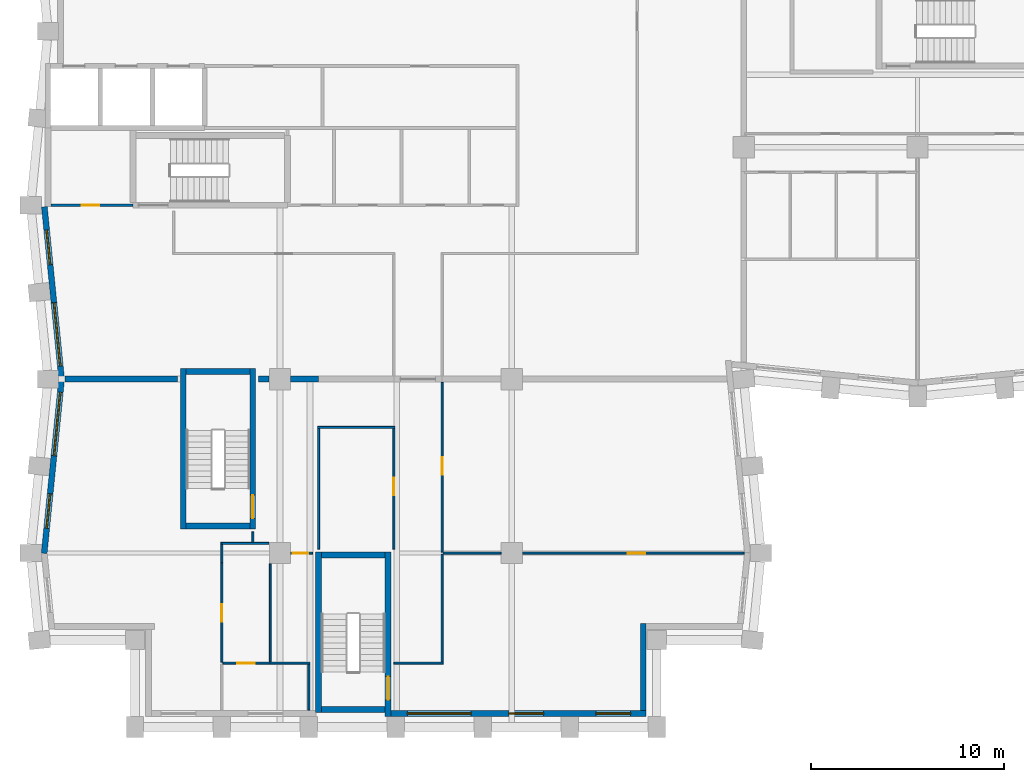
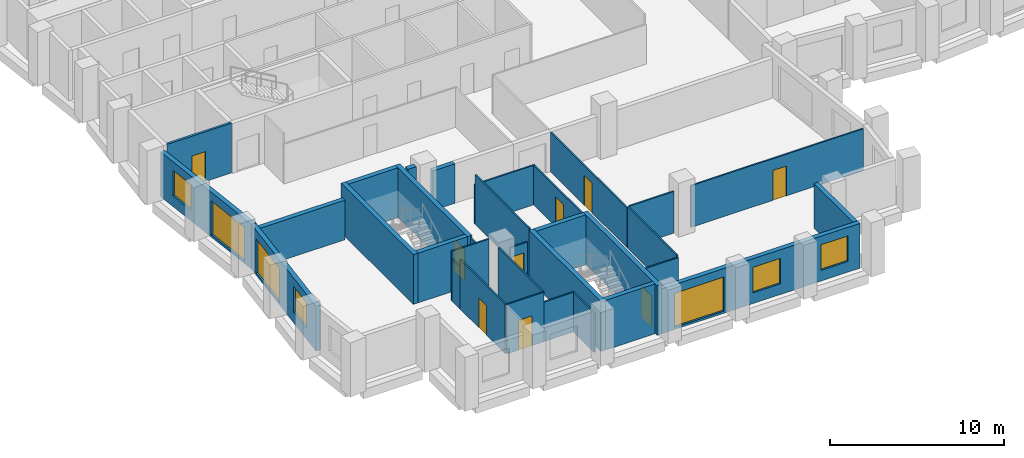
# One storey, part 3 of 10: 33 walls, 9 doors, 7 windows, 16 openings.
"""IFC4 building model written with IfcOpenShell, lengths in metres."""

from ifc_helpers import new_model, si_unit, direction, frame, frame_2d, origin, place, context, subcontext, project, spatial, rectangle, extrude, material, layer, layer_set, type_object, element, fill, save


model = new_model("IFC4")

# Units and contexts
model_context = context("Model", 3, precision=1e-05, world=origin(), true_north=direction((0.0, 1.0)))
body_context = subcontext(model_context, "Body", "Model", "MODEL_VIEW")
ifc_project = project(units=[si_unit("LENGTHUNIT", "METRE"), si_unit("AREAUNIT", "SQUARE_METRE"), si_unit("VOLUMEUNIT", "CUBIC_METRE"), si_unit("PLANEANGLEUNIT", "RADIAN"), si_unit("MASSUNIT", "GRAM", prefix="KILO")], contexts=[model_context])

# Site, building, storey
site_placement = place(None, origin())
site = spatial("IfcSite", under=ifc_project, at=site_placement, CompositionType="ELEMENT")
building_placement = place(site_placement, origin())
building = spatial("IfcBuilding", under=site, at=building_placement, Name="Brondeck Convention Tower", CompositionType="ELEMENT")
storey_placement = place(building_placement, frame((0.0, 0.0, 147.199951171875)))
storey = spatial("IfcBuildingStorey", under=building, at=storey_placement, Name="L35", CompositionType="ELEMENT", Elevation=147.199951171875)

# Walls
ifc_material_1 = material(Name="Concrete compartment wall C30/37", Category="concrete")
ifc_layer_1 = layer(ifc_material_1, 0.300048828125)
ifc_layer_set_1 = layer_set([ifc_layer_1], Name="Compartment wall 300")
wall_type_1 = type_object("IfcWallType", Name="Compartment wall 300", PredefinedType="PARTITIONING", material=ifc_layer_set_1)
wall_1_placement = place(storey_placement, frame((0.8740234375, 27.0, 0.0), z_axis=(0.0, 0.0, 1.0), x_axis=(1.0, 0.0, 0.0)))
element("IfcWall", 1, at=wall_1_placement, inside=storey, type_object=wall_type_1, Name="FLR-L35-W020", PredefinedType="PARTITIONING", context=body_context, shape_type="SweptSolid", body=[
    extrude(rectangle(XDim=5.825927734375, YDim=0.300048828125, at=frame_2d((2.9130859375, 0.0))), origin(), (0.0, 0.0, 1.0), 2.780029296875),
])
wall_2_placement = place(storey_placement, frame((10.89990234375, 27.0, 0.0), z_axis=(0.0, 0.0, 1.0), x_axis=(1.0, 0.0, 0.0)))
element("IfcWall", 2, at=wall_2_placement, inside=storey, type_object=wall_type_1, Name="FLR-L35-W021", PredefinedType="PARTITIONING", context=body_context, shape_type="SweptSolid", body=[
    extrude(rectangle(XDim=0.545166015625, YDim=0.300048828125, at=frame_2d((0.2724609375, 0.0))), origin(), (0.0, 0.0, 1.0), 3.47998046875),
])
wall_3_placement = place(storey_placement, frame((12.554931640625, 27.0, 0.0), z_axis=(0.0, 0.0, 1.0), x_axis=(1.0, 0.0, 0.0)))
element("IfcWall", 3, at=wall_3_placement, inside=storey, type_object=wall_type_1, Name="FLR-L35-W022", PredefinedType="PARTITIONING", context=body_context, shape_type="SweptSolid", body=[
    extrude(rectangle(XDim=1.445068359375, YDim=0.300048828125, at=frame_2d((0.72265625, 0.0))), origin(), (0.0, 0.0, 1.0), 2.780029296875),
])

# Wall, opening, door
ifc_material_2 = material(Name="Fire-rated gypsum board partition")
ifc_layer_2 = layer(ifc_material_2, 0.14990234375)
ifc_layer_set_2 = layer_set([ifc_layer_2], Name="Core partition 150 EI 60")
wall_type_2 = type_object("IfcWallType", Name="Core partition 150 EI 60", PredefinedType="PARTITIONING", material=ifc_layer_set_2)
wall_4_placement = place(storey_placement, frame((0.14990234375, 36.0, 0.0), z_axis=(0.0, 0.0, 1.0), x_axis=(1.0, 0.0, 0.0)))
wall_4 = element("IfcWall", 4, at=wall_4_placement, inside=storey, type_object=wall_type_2, Name="L35 core wall", PredefinedType="PARTITIONING", context=body_context, shape_type="SweptSolid", body=[
    extrude(rectangle(XDim=4.25, YDim=0.14990234375, at=frame_2d((2.125, 0.0))), origin(), (0.0, 0.0, 1.0), 3.5),
])
opening_1_placement = place(wall_4_placement, frame((1.60009765625, 0.0, 0.0)))
opening_1 = element("IfcOpeningElement", 5, at=opening_1_placement, cuts=wall_4, Name="Opening C21-07", PredefinedType="OPENING", context=body_context, shape_type="SweptSolid", body=[
    extrude(rectangle(XDim=0.89990234375, YDim=2.10009765625, at=frame_2d((0.449951171875, 1.050048828125))), frame((0.0, 0.0849609375, 0.0), z_axis=(0.0, -1.0, 0.0), x_axis=(1.0, 0.0, 0.0)), (0.0, 0.0, 1.0), 0.169921875),
])
ifc_material_3 = material(Name="Steel fire door", Category="steel")
door_type_1 = type_object("IfcDoorType", Name="Room door 900x2100 EI 60", OperationType="NOTDEFINED", PredefinedType="DOOR", material=ifc_material_3)
door_1_placement = place(opening_1_placement, origin())
door_1 = element("IfcDoor", 6, at=door_1_placement, inside=storey, type_object=door_type_1, Name="L35 Room door FRW-1", OperationType="SINGLE_SWING_LEFT", OverallHeight=2.10009765625, OverallWidth=0.89990234375, PredefinedType="DOOR", context=body_context, shape_type="SweptSolid", body=[
    extrude(rectangle(XDim=0.89990234375, YDim=2.10009765625, at=frame_2d((0.449951171875, 1.050048828125))), frame((0.0, 0.02490234375, 0.0), z_axis=(0.0, -1.0, 0.0), x_axis=(1.0, 0.0, 0.0)), (0.0, 0.0, 1.0), 0.050048828125),
])
fill(opening_1, door_1)

# Wall, openings, windows
ifc_material_4 = material(Name="Precast concrete C50/60 bronze finish", Category="concrete")
ifc_layer_3 = layer(ifc_material_4, 0.070068359375, Name="Bronze precast facing")
ifc_material_5 = material(Name="Mineral wool")
ifc_layer_4 = layer(ifc_material_5, 0.159912109375, Name="Insulation")
ifc_material_6 = material(Name="Concrete C35/45", Category="concrete")
ifc_layer_5 = layer(ifc_material_6, 0.070068359375, Name="Backing")
ifc_layer_set_3 = layer_set([ifc_layer_3, ifc_layer_4, ifc_layer_5], Name="External infill wall, precast concrete C50/60 bronze facing")
wall_type_3 = type_object("IfcWallType", Name="External infill wall, precast concrete C50/60 bronze facing", PredefinedType="SOLIDWALL", material=ifc_layer_set_3)
wall_5_placement = place(storey_placement, frame((30.949951171875, 9.699951171875, 0.0), z_axis=(0.0, 0.0, 1.0), x_axis=(-1.0, 0.0, 0.0)))
wall_5 = element("IfcWall", 7, at=wall_5_placement, inside=storey, type_object=wall_type_3, Name="ENV-EW-L35-P1-B-S9-04", PredefinedType="SOLIDWALL", context=body_context, shape_type="SweptSolid", body=[
    extrude(rectangle(XDim=13.199951171875, YDim=0.300048828125, at=frame_2d((6.60009765625, 0.0))), origin(), (0.0, 0.0, 1.0), 3.150146484375),
])
opening_2_placement = place(wall_5_placement, frame((0.800048828125, 0.0, 0.75)))
opening_2 = element("IfcOpeningElement", 8, at=opening_2_placement, cuts=wall_5, Name="Opening W10", PredefinedType="OPENING", context=body_context, shape_type="SweptSolid", body=[
    extrude(rectangle(XDim=1.800048828125, YDim=1.800048828125, at=frame_2d((0.89990234375, 0.89990234375))), frame((0.0, 0.159912109375, 0.0), z_axis=(0.0, -1.0, 0.0), x_axis=(1.0, 0.0, 0.0)), (0.0, 0.0, 1.0), 0.320068359375),
])
opening_3_placement = place(wall_5_placement, frame((5.300048828125, 0.0, 0.75)))
opening_3 = element("IfcOpeningElement", 9, at=opening_3_placement, cuts=wall_5, Name="Opening W10", PredefinedType="OPENING", context=body_context, shape_type="SweptSolid", body=[
    extrude(rectangle(XDim=1.800048828125, YDim=1.800048828125, at=frame_2d((0.89990234375, 0.89990234375))), frame((0.0, 0.159912109375, 0.0), z_axis=(0.0, -1.0, 0.0), x_axis=(1.0, 0.0, 0.0)), (0.0, 0.0, 1.0), 0.320068359375),
])
opening_4_placement = place(wall_5_placement, frame((9.050048828125, 0.0, 0.14990234375)))
opening_4 = element("IfcOpeningElement", 10, at=opening_4_placement, cuts=wall_5, Name="Opening W9", PredefinedType="OPENING", context=body_context, shape_type="SweptSolid", body=[
    extrude(rectangle(XDim=3.300048828125, YDim=2.39990234375, at=frame_2d((1.64990234375, 1.199951171875))), frame((0.0, 0.159912109375, 0.0), z_axis=(0.0, -1.0, 0.0), x_axis=(1.0, 0.0, 0.0)), (0.0, 0.0, 1.0), 0.320068359375),
])
ifc_material_7 = material(Name="Bronze tinted double glazing", Category="glass")
window_type_1 = type_object("IfcWindowType", Name="Glazed flute window, bronze tinted", PartitioningType="SINGLE_PANEL", PredefinedType="WINDOW", material=ifc_material_7)
window_1_placement = place(opening_4_placement, origin())
window_1 = element("IfcWindow", 11, at=window_1_placement, inside=storey, type_object=window_type_1, Name="ENV-WN-L35-P1-B-S9-04", OverallHeight=2.39990234375, OverallWidth=3.300048828125, PartitioningType="SINGLE_PANEL", PredefinedType="WINDOW", context=body_context, shape_type="SweptSolid", body=[
    extrude(rectangle(XDim=3.300048828125, YDim=2.39990234375, at=frame_2d((1.64990234375, 1.199951171875))), frame((0.0, 0.030029296875, 0.0), z_axis=(0.0, -1.0, 0.0), x_axis=(1.0, 0.0, 0.0)), (0.0, 0.0, 1.0), 0.06005859375),
])
fill(opening_4, window_1)
window_type_2 = type_object("IfcWindowType", Name="Punched window, bronze tinted", PartitioningType="SINGLE_PANEL", PredefinedType="WINDOW", material=ifc_material_7)
window_2_placement = place(opening_2_placement, origin())
window_2 = element("IfcWindow", 12, at=window_2_placement, inside=storey, type_object=window_type_2, Name="ENV-WN-L35-P1-B-S9-06", OverallHeight=1.800048828125, OverallWidth=1.800048828125, PartitioningType="SINGLE_PANEL", PredefinedType="WINDOW", context=body_context, shape_type="SweptSolid", body=[
    extrude(rectangle(XDim=1.800048828125, YDim=1.800048828125, at=frame_2d((0.89990234375, 0.89990234375))), frame((0.0, 0.030029296875, 0.0), z_axis=(0.0, -1.0, 0.0), x_axis=(1.0, 0.0, 0.0)), (0.0, 0.0, 1.0), 0.06005859375),
])
fill(opening_2, window_2)
window_3_placement = place(opening_3_placement, origin())
window_3 = element("IfcWindow", 13, at=window_3_placement, inside=storey, type_object=window_type_2, Name="ENV-WN-L35-P1-B-S9-05", OverallHeight=1.800048828125, OverallWidth=1.800048828125, PartitioningType="SINGLE_PANEL", PredefinedType="WINDOW", context=body_context, shape_type="SweptSolid", body=[
    extrude(rectangle(XDim=1.800048828125, YDim=1.800048828125, at=frame_2d((0.89990234375, 0.89990234375))), frame((0.0, 0.030029296875, 0.0), z_axis=(0.0, -1.0, 0.0), x_axis=(1.0, 0.0, 0.0)), (0.0, 0.0, 1.0), 0.06005859375),
])
fill(opening_3, window_3)

# Wall
wall_6_placement = place(storey_placement, frame((30.800048828125, 14.35009765625, 0.0), z_axis=(0.0, 0.0, 1.0), x_axis=(0.0, -1.0, 0.0)))
element("IfcWall", 14, at=wall_6_placement, inside=storey, type_object=wall_type_3, Name="ENV-EW-L35-P1-NC-SEB9-01", PredefinedType="SOLIDWALL", context=body_context, shape_type="SweptSolid", body=[
    extrude(rectangle(XDim=4.502197265625, YDim=0.300048828125, at=frame_2d((2.2509765625, 0.0))), origin(), (0.0, 0.0, 1.0), 3.150146484375),
])

# Wall, openings, windows
wall_7_placement = place(storey_placement, frame((0.705078125, 26.985107421875, 0.0), z_axis=(0.0, 0.0, 1.0), x_axis=(-0.099533329093, 0.995034228758, 0.0)))
wall_7 = element("IfcWall", 15, at=wall_7_placement, inside=storey, type_object=wall_type_3, Name="ENV-EW-L35-P1-B-W-06", PredefinedType="SOLIDWALL", context=body_context, shape_type="SweptSolid", body=[
    extrude(rectangle(XDim=8.97998046875, YDim=0.300048828125, at=frame_2d((4.489990234375, 0.0))), origin(), (0.0, 0.0, 1.0), 3.150146484375),
])
opening_5_placement = place(wall_7_placement, frame((0.6962890625, 0.0, 0.14990234375)))
opening_5 = element("IfcOpeningElement", 16, at=opening_5_placement, cuts=wall_7, Name="Opening W9", PredefinedType="OPENING", context=body_context, shape_type="SweptSolid", body=[
    extrude(rectangle(XDim=3.300048828125, YDim=2.39990234375, at=frame_2d((1.64990234375, 1.199951171875))), frame((0.0, 0.159912109375, 0.0), z_axis=(0.0, -1.0, 0.0), x_axis=(1.0, 0.0, 0.0)), (0.0, 0.0, 1.0), 0.320068359375),
])
opening_6_placement = place(wall_7_placement, frame((5.968505859375, 0.0, 0.75)))
opening_6 = element("IfcOpeningElement", 17, at=opening_6_placement, cuts=wall_7, Name="Opening W10", PredefinedType="OPENING", context=body_context, shape_type="SweptSolid", body=[
    extrude(rectangle(XDim=1.800048828125, YDim=1.800048828125, at=frame_2d((0.89990234375, 0.89990234375))), frame((0.0, 0.159912109375, 0.0), z_axis=(0.0, -1.0, 0.0), x_axis=(1.0, 0.0, 0.0)), (0.0, 0.0, 1.0), 0.320068359375),
])
window_4_placement = place(opening_5_placement, origin())
window_4 = element("IfcWindow", 18, at=window_4_placement, inside=storey, type_object=window_type_1, Name="ENV-WN-L35-P1-B-W-07", OverallHeight=2.39990234375, OverallWidth=3.300048828125, PartitioningType="SINGLE_PANEL", PredefinedType="WINDOW", context=body_context, shape_type="SweptSolid", body=[
    extrude(rectangle(XDim=3.300048828125, YDim=2.39990234375, at=frame_2d((1.64990234375, 1.199951171875))), frame((0.0, 0.030029296875, 0.0), z_axis=(0.0, -1.0, 0.0), x_axis=(1.0, 0.0, 0.0)), (0.0, 0.0, 1.0), 0.06005859375),
])
fill(opening_5, window_4)
window_5_placement = place(opening_6_placement, origin())
window_5 = element("IfcWindow", 19, at=window_5_placement, inside=storey, type_object=window_type_2, Name="ENV-WN-L35-P1-B-W-06", OverallHeight=1.800048828125, OverallWidth=1.800048828125, PartitioningType="SINGLE_PANEL", PredefinedType="WINDOW", context=body_context, shape_type="SweptSolid", body=[
    extrude(rectangle(XDim=1.800048828125, YDim=1.800048828125, at=frame_2d((0.89990234375, 0.89990234375))), frame((0.0, 0.030029296875, 0.0), z_axis=(0.0, -1.0, 0.0), x_axis=(1.0, 0.0, 0.0)), (0.0, 0.0, 1.0), 0.06005859375),
])
fill(opening_6, window_5)

wall_8_placement = place(storey_placement, frame((-0.197998046875, 17.985107421875, 0.0), z_axis=(0.0, 0.0, 1.0), x_axis=(0.099495688264, 0.995037993253, 0.0)))
wall_8 = element("IfcWall", 20, at=wall_8_placement, inside=storey, type_object=wall_type_3, Name="ENV-EW-L35-P1-B-W-08", PredefinedType="SOLIDWALL", context=body_context, shape_type="SweptSolid", body=[
    extrude(rectangle(XDim=9.030029296875, YDim=0.300048828125, at=frame_2d((4.51513671875, 0.0))), origin(), (0.0, 0.0, 1.0), 3.150146484375),
])
opening_7_placement = place(wall_8_placement, frame((1.30615234375, 0.0, 0.75)))
opening_7 = element("IfcOpeningElement", 21, at=opening_7_placement, cuts=wall_8, Name="Opening W10", PredefinedType="OPENING", context=body_context, shape_type="SweptSolid", body=[
    extrude(rectangle(XDim=1.800048828125, YDim=1.800048828125, at=frame_2d((0.89990234375, 0.89990234375))), frame((0.0, 0.159912109375, 0.0), z_axis=(0.0, -1.0, 0.0), x_axis=(1.0, 0.0, 0.0)), (0.0, 0.0, 1.0), 0.320068359375),
])
opening_8_placement = place(wall_8_placement, frame((5.07861328125, 0.0, 0.14990234375)))
opening_8 = element("IfcOpeningElement", 22, at=opening_8_placement, cuts=wall_8, Name="Opening W9", PredefinedType="OPENING", context=body_context, shape_type="SweptSolid", body=[
    extrude(rectangle(XDim=3.300048828125, YDim=2.39990234375, at=frame_2d((1.64990234375, 1.199951171875))), frame((0.0, 0.159912109375, 0.0), z_axis=(0.0, -1.0, 0.0), x_axis=(1.0, 0.0, 0.0)), (0.0, 0.0, 1.0), 0.320068359375),
])
window_6_placement = place(opening_8_placement, origin())
window_6 = element("IfcWindow", 23, at=window_6_placement, inside=storey, type_object=window_type_1, Name="ENV-WN-L35-P1-B-W-08", OverallHeight=2.39990234375, OverallWidth=3.300048828125, PartitioningType="SINGLE_PANEL", PredefinedType="WINDOW", context=body_context, shape_type="SweptSolid", body=[
    extrude(rectangle(XDim=3.300048828125, YDim=2.39990234375, at=frame_2d((1.64990234375, 1.199951171875))), frame((0.0, 0.030029296875, 0.0), z_axis=(0.0, -1.0, 0.0), x_axis=(1.0, 0.0, 0.0)), (0.0, 0.0, 1.0), 0.06005859375),
])
fill(opening_8, window_6)
window_7_placement = place(opening_7_placement, origin())
window_7 = element("IfcWindow", 24, at=window_7_placement, inside=storey, type_object=window_type_2, Name="ENV-WN-L35-P1-B-W-09", OverallHeight=1.800048828125, OverallWidth=1.800048828125, PartitioningType="SINGLE_PANEL", PredefinedType="WINDOW", context=body_context, shape_type="SweptSolid", body=[
    extrude(rectangle(XDim=1.800048828125, YDim=1.800048828125, at=frame_2d((0.89990234375, 0.89990234375))), frame((0.0, 0.030029296875, 0.0), z_axis=(0.0, -1.0, 0.0), x_axis=(1.0, 0.0, 0.0)), (0.0, 0.0, 1.0), 0.06005859375),
])
fill(opening_7, window_7)

# Wall
ifc_material_8 = material(Name="Gypsum board partition on steel studs", Category="steel")
ifc_layer_6 = layer(ifc_material_8, 0.10009765625)
ifc_layer_set_4 = layer_set([ifc_layer_6], Name="Room partition 100")
wall_type_4 = type_object("IfcWallType", Name="Room partition 100", PredefinedType="PARTITIONING", material=ifc_layer_set_4)
wall_9_placement = place(storey_placement, frame((13.5, 12.25, 0.0), z_axis=(0.0, 0.0, 1.0), x_axis=(0.0, -1.0, 0.0)))
element("IfcWall", 25, at=wall_9_placement, inside=storey, type_object=wall_type_4, Name="FLR-L35-W003", PredefinedType="PARTITIONING", context=body_context, shape_type="SweptSolid", body=[
    extrude(rectangle(XDim=2.3798828125, YDim=0.10009765625, at=frame_2d((1.18994140625, 0.0))), origin(), (0.0, 0.0, 1.0), 2.780029296875),
])

# Wall, opening, door
wall_10_placement = place(storey_placement, frame((11.5, 12.300048828125, 0.0), z_axis=(0.0, 0.0, 1.0), x_axis=(-1.0, 0.0, 0.0)))
wall_10 = element("IfcWall", 26, at=wall_10_placement, inside=storey, type_object=wall_type_4, Name="FLR-L35-W004", PredefinedType="PARTITIONING", context=body_context, shape_type="SweptSolid", body=[
    extrude(rectangle(XDim=2.449951171875, YDim=0.10009765625, at=frame_2d((1.22509765625, 0.0))), origin(), (0.0, 0.0, 1.0), 3.47998046875),
])
opening_9_placement = place(wall_10_placement, frame((0.800048828125, 0.0, 0.0)))
opening_9 = element("IfcOpeningElement", 27, at=opening_9_placement, cuts=wall_10, Name="Opening OF-F2-001", PredefinedType="OPENING", context=body_context, shape_type="SweptSolid", body=[
    extrude(rectangle(XDim=0.89990234375, YDim=2.10009765625, at=frame_2d((0.449951171875, 1.050048828125))), frame((0.0, 0.06005859375, 0.0), z_axis=(0.0, -1.0, 0.0), x_axis=(1.0, 0.0, 0.0)), (0.0, 0.0, 1.0), 0.1201171875),
])
ifc_material_9 = material(Name="Solid timber door leaf", Category="wood")
door_type_2 = type_object("IfcDoorType", Name="Single door 900", OperationType="NOTDEFINED", PredefinedType="DOOR", material=ifc_material_9)
door_2_placement = place(opening_9_placement, origin())
door_2 = element("IfcDoor", 28, at=door_2_placement, inside=storey, type_object=door_type_2, Name="Door OF-F2-001", OperationType="SINGLE_SWING_RIGHT", OverallHeight=2.10009765625, OverallWidth=0.89990234375, PredefinedType="DOOR", context=body_context, shape_type="SweptSolid", body=[
    extrude(rectangle(XDim=0.89990234375, YDim=2.10009765625, at=frame_2d((0.449951171875, 1.050048828125))), frame((0.0, 0.02490234375, 0.0), z_axis=(0.0, -1.0, 0.0), x_axis=(1.0, 0.0, 0.0)), (0.0, 0.0, 1.0), 0.050048828125),
])
fill(opening_9, door_2)

# Walls
wall_11_placement = place(storey_placement, frame((11.5, 12.300048828125, 0.0), z_axis=(0.0, 0.0, 1.0), x_axis=(1.0, 0.0, 0.0)))
element("IfcWall", 29, at=wall_11_placement, inside=storey, type_object=wall_type_4, Name="FLR-L35-W005", PredefinedType="PARTITIONING", context=body_context, shape_type="SweptSolid", body=[
    extrude(rectangle(XDim=2.050048828125, YDim=0.10009765625, at=frame_2d((1.02490234375, 0.0))), origin(), (0.0, 0.0, 1.0), 2.780029296875),
])
wall_12_placement = place(storey_placement, frame((20.449951171875, 12.300048828125, 0.0), z_axis=(0.0, 0.0, 1.0), x_axis=(-1.0, 0.0, 0.0)))
element("IfcWall", 30, at=wall_12_placement, inside=storey, type_object=wall_type_4, Name="FLR-L35-W006", PredefinedType="PARTITIONING", context=body_context, shape_type="SweptSolid", body=[
    extrude(rectangle(XDim=2.550048828125, YDim=0.10009765625, at=frame_2d((1.27490234375, 0.0))), origin(), (0.0, 0.0, 1.0), 2.780029296875),
])

# Wall, opening, door
wall_13_placement = place(storey_placement, frame((9.0, 12.35009765625, 0.0), z_axis=(0.0, 0.0, 1.0), x_axis=(0.0, 1.0, 0.0)))
wall_13 = element("IfcWall", 31, at=wall_13_placement, inside=storey, type_object=wall_type_4, Name="FLR-L35-W007", PredefinedType="PARTITIONING", context=body_context, shape_type="SweptSolid", body=[
    extrude(rectangle(XDim=5.14990234375, YDim=0.10009765625, at=frame_2d((2.574951171875, 0.0))), origin(), (0.0, 0.0, 1.0), 3.47998046875),
])
opening_10_placement = place(wall_13_placement, frame((2.10009765625, 0.0, 0.0)))
opening_10 = element("IfcOpeningElement", 32, at=opening_10_placement, cuts=wall_13, Name="Opening OF-F2-015", PredefinedType="OPENING", context=body_context, shape_type="SweptSolid", body=[
    extrude(rectangle(XDim=0.89990234375, YDim=2.10009765625, at=frame_2d((0.449951171875, 1.050048828125))), frame((0.0, 0.06005859375, 0.0), z_axis=(0.0, -1.0, 0.0), x_axis=(1.0, 0.0, 0.0)), (0.0, 0.0, 1.0), 0.1201171875),
])
door_3_placement = place(opening_10_placement, origin())
door_3 = element("IfcDoor", 33, at=door_3_placement, inside=storey, type_object=door_type_2, Name="Door OF-F2-015", OperationType="SINGLE_SWING_RIGHT", OverallHeight=2.10009765625, OverallWidth=0.89990234375, PredefinedType="DOOR", context=body_context, shape_type="SweptSolid", body=[
    extrude(rectangle(XDim=0.89990234375, YDim=2.10009765625, at=frame_2d((0.449951171875, 1.050048828125))), frame((0.0, 0.02490234375, 0.0), z_axis=(0.0, -1.0, 0.0), x_axis=(1.0, 0.0, 0.0)), (0.0, 0.0, 1.0), 0.050048828125),
])
fill(opening_10, door_3)

# Walls
wall_14_placement = place(storey_placement, frame((11.5, 17.445068359375, 0.0), z_axis=(0.0, 0.0, 1.0), x_axis=(0.0, -1.0, 0.0)))
element("IfcWall", 34, at=wall_14_placement, inside=storey, type_object=wall_type_4, Name="FLR-L35-W008", PredefinedType="PARTITIONING", context=body_context, shape_type="SweptSolid", body=[
    extrude(rectangle(XDim=5.094970703125, YDim=0.10009765625, at=frame_2d((2.54736328125, 0.0))), origin(), (0.0, 0.0, 1.0), 3.47998046875),
])
wall_15_placement = place(storey_placement, frame((9.0, 17.5, 0.0), z_axis=(0.0, 0.0, 1.0), x_axis=(0.0, 1.0, 0.0)))
element("IfcWall", 35, at=wall_15_placement, inside=storey, type_object=wall_type_4, Name="FLR-L35-W009", PredefinedType="PARTITIONING", context=body_context, shape_type="SweptSolid", body=[
    extrude(rectangle(XDim=0.949951171875, YDim=0.10009765625, at=frame_2d((0.47509765625, 0.0))), origin(), (0.0, 0.0, 1.0), 2.929931640625),
])
wall_16_placement = place(storey_placement, frame((20.39990234375, 17.949951171875, 0.0), z_axis=(0.0, 0.0, 1.0), x_axis=(0.0, -1.0, 0.0)))
element("IfcWall", 36, at=wall_16_placement, inside=storey, type_object=wall_type_4, Name="FLR-L35-W010", PredefinedType="PARTITIONING", context=body_context, shape_type="SweptSolid", body=[
    extrude(rectangle(XDim=5.599853515625, YDim=0.10009765625, at=frame_2d((2.7998046875, 0.0))), origin(), (0.0, 0.0, 1.0), 2.929931640625),
])

# Wall, opening, door
wall_17_placement = place(storey_placement, frame((13.699951171875, 18.0, 0.0), z_axis=(0.0, 0.0, 1.0), x_axis=(-1.0, 0.0, 0.0)))
wall_17 = element("IfcWall", 37, at=wall_17_placement, inside=storey, type_object=wall_type_4, Name="FLR-L35-W011", PredefinedType="PARTITIONING", context=body_context, shape_type="SweptSolid", body=[
    extrude(rectangle(XDim=1.14501953125, YDim=0.10009765625, at=frame_2d((0.572509765625, 0.0))), origin(), (0.0, 0.0, 1.0), 2.780029296875),
])
opening_11_placement = place(wall_17_placement, frame((0.2451171875, 0.0, 0.0)))
opening_11 = element("IfcOpeningElement", 38, at=opening_11_placement, cuts=wall_17, Name="Opening OF-F2-004", PredefinedType="OPENING", context=body_context, shape_type="SweptSolid", body=[
    extrude(rectangle(XDim=0.800048828125, YDim=2.10009765625, at=frame_2d((0.39990234375, 1.050048828125))), frame((0.0, 0.06005859375, 0.0), z_axis=(0.0, -1.0, 0.0), x_axis=(1.0, 0.0, 0.0)), (0.0, 0.0, 1.0), 0.1201171875),
])
ifc_material_10 = material(Name="Steel service door leaf", Category="steel")
door_type_3 = type_object("IfcDoorType", Name="Service door 800", OperationType="NOTDEFINED", PredefinedType="DOOR", material=ifc_material_10)
door_4_placement = place(opening_11_placement, origin())
door_4 = element("IfcDoor", 39, at=door_4_placement, inside=storey, type_object=door_type_3, Name="Door OF-F2-004", OperationType="SINGLE_SWING_LEFT", OverallHeight=2.10009765625, OverallWidth=0.800048828125, PredefinedType="DOOR", context=body_context, shape_type="SweptSolid", body=[
    extrude(rectangle(XDim=0.800048828125, YDim=2.10009765625, at=frame_2d((0.39990234375, 1.050048828125))), frame((0.0, 0.02490234375, 0.0), z_axis=(0.0, -1.0, 0.0), x_axis=(1.0, 0.0, 0.0)), (0.0, 0.0, 1.0), 0.050048828125),
])
fill(opening_11, door_4)

# Wall
wall_18_placement = place(storey_placement, frame((23.445068359375, 18.0, 0.0), z_axis=(0.0, 0.0, 1.0), x_axis=(-1.0, 0.0, 0.0)))
element("IfcWall", 40, at=wall_18_placement, inside=storey, type_object=wall_type_4, Name="FLR-L35-W012", PredefinedType="PARTITIONING", context=body_context, shape_type="SweptSolid", body=[
    extrude(rectangle(XDim=2.9951171875, YDim=0.10009765625, at=frame_2d((1.49755859375, 0.0))), origin(), (0.0, 0.0, 1.0), 2.929931640625),
])

# Wall, opening, door
wall_19_placement = place(storey_placement, frame((36.02587890625, 18.0, 0.0), z_axis=(0.0, 0.0, 1.0), x_axis=(-1.0, 0.0, 0.0)))
wall_19 = element("IfcWall", 41, at=wall_19_placement, inside=storey, type_object=wall_type_4, Name="FLR-L35-W013", PredefinedType="PARTITIONING", context=body_context, shape_type="SweptSolid", body=[
    extrude(rectangle(XDim=11.470947265625, YDim=0.10009765625, at=frame_2d((5.7353515625, 0.0))), origin(), (0.0, 0.0, 1.0), 2.929931640625),
])
opening_12_placement = place(wall_19_placement, frame((5.125732421875, 0.0, 0.0)))
opening_12 = element("IfcOpeningElement", 42, at=opening_12_placement, cuts=wall_19, Name="Opening OF-F2-014", PredefinedType="OPENING", context=body_context, shape_type="SweptSolid", body=[
    extrude(rectangle(XDim=0.89990234375, YDim=2.10009765625, at=frame_2d((0.449951171875, 1.050048828125))), frame((0.0, 0.06005859375, 0.0), z_axis=(0.0, -1.0, 0.0), x_axis=(1.0, 0.0, 0.0)), (0.0, 0.0, 1.0), 0.1201171875),
])
door_5_placement = place(opening_12_placement, origin())
door_5 = element("IfcDoor", 43, at=door_5_placement, inside=storey, type_object=door_type_2, Name="Door OF-F2-014", OperationType="SINGLE_SWING_LEFT", OverallHeight=2.10009765625, OverallWidth=0.89990234375, PredefinedType="DOOR", context=body_context, shape_type="SweptSolid", body=[
    extrude(rectangle(XDim=0.89990234375, YDim=2.10009765625, at=frame_2d((0.449951171875, 1.050048828125))), frame((0.0, 0.02490234375, 0.0), z_axis=(0.0, -1.0, 0.0), x_axis=(1.0, 0.0, 0.0)), (0.0, 0.0, 1.0), 0.050048828125),
])
fill(opening_12, door_5)

wall_20_placement = place(storey_placement, frame((17.89990234375, 18.199951171875, 0.0), z_axis=(0.0, 0.0, 1.0), x_axis=(0.0, 1.0, 0.0)))
wall_20 = element("IfcWall", 44, at=wall_20_placement, inside=storey, type_object=wall_type_4, Name="FLR-L35-W014", PredefinedType="PARTITIONING", context=body_context, shape_type="SweptSolid", body=[
    extrude(rectangle(XDim=6.25, YDim=0.10009765625, at=frame_2d((3.125, 0.0))), origin(), (0.0, 0.0, 1.0), 2.780029296875),
])
opening_13_placement = place(wall_20_placement, frame((2.800048828125, 0.0, 0.0)))
opening_13 = element("IfcOpeningElement", 45, at=opening_13_placement, cuts=wall_20, Name="Opening OF-F2-003", PredefinedType="OPENING", context=body_context, shape_type="SweptSolid", body=[
    extrude(rectangle(XDim=0.89990234375, YDim=2.10009765625, at=frame_2d((0.449951171875, 1.050048828125))), frame((0.0, 0.06005859375, 0.0), z_axis=(0.0, -1.0, 0.0), x_axis=(1.0, 0.0, 0.0)), (0.0, 0.0, 1.0), 0.1201171875),
])
door_6_placement = place(opening_13_placement, origin())
door_6 = element("IfcDoor", 46, at=door_6_placement, inside=storey, type_object=door_type_2, Name="Door OF-F2-003", OperationType="SINGLE_SWING_LEFT", OverallHeight=2.10009765625, OverallWidth=0.89990234375, PredefinedType="DOOR", context=body_context, shape_type="SweptSolid", body=[
    extrude(rectangle(XDim=0.89990234375, YDim=2.10009765625, at=frame_2d((0.449951171875, 1.050048828125))), frame((0.0, 0.02490234375, 0.0), z_axis=(0.0, -1.0, 0.0), x_axis=(1.0, 0.0, 0.0)), (0.0, 0.0, 1.0), 0.050048828125),
])
fill(opening_13, door_6)

# Walls
wall_21_placement = place(storey_placement, frame((8.949951171875, 18.5, 0.0), z_axis=(0.0, 0.0, 1.0), x_axis=(1.0, 0.0, 0.0)))
element("IfcWall", 47, at=wall_21_placement, inside=storey, type_object=wall_type_4, Name="FLR-L35-W015", PredefinedType="PARTITIONING", context=body_context, shape_type="SweptSolid", body=[
    extrude(rectangle(XDim=2.47998046875, YDim=0.10009765625, at=frame_2d((1.239990234375, 0.0))), origin(), (0.0, 0.0, 1.0), 3.47998046875),
])
wall_22_placement = place(storey_placement, frame((10.60009765625, 18.550048828125, 0.0), z_axis=(0.0, 0.0, 1.0), x_axis=(0.0, 1.0, 0.0)))
element("IfcWall", 48, at=wall_22_placement, inside=storey, type_object=wall_type_4, Name="FLR-L35-W016", PredefinedType="PARTITIONING", context=body_context, shape_type="SweptSolid", body=[
    extrude(rectangle(XDim=0.550048828125, YDim=0.10009765625, at=frame_2d((0.27490234375, 0.0))), origin(), (0.0, 0.0, 1.0), 3.47998046875),
])
wall_23_placement = place(storey_placement, frame((14.0, 24.449951171875, 0.0), z_axis=(0.0, 0.0, 1.0), x_axis=(0.0, -1.0, 0.0)))
element("IfcWall", 49, at=wall_23_placement, inside=storey, type_object=wall_type_4, Name="FLR-L35-W017", PredefinedType="PARTITIONING", context=body_context, shape_type="SweptSolid", body=[
    extrude(rectangle(XDim=6.25, YDim=0.10009765625, at=frame_2d((3.125, 0.0))), origin(), (0.0, 0.0, 1.0), 3.47998046875),
])
wall_24_placement = place(storey_placement, frame((17.949951171875, 24.5, 0.0), z_axis=(0.0, 0.0, 1.0), x_axis=(-1.0, 0.0, 0.0)))
element("IfcWall", 50, at=wall_24_placement, inside=storey, type_object=wall_type_4, Name="FLR-L35-W018", PredefinedType="PARTITIONING", context=body_context, shape_type="SweptSolid", body=[
    extrude(rectangle(XDim=4.0, YDim=0.10009765625, at=frame_2d((2.0, 0.0))), origin(), (0.0, 0.0, 1.0), 2.780029296875),
])

# Wall, opening, door
wall_25_placement = place(storey_placement, frame((20.39990234375, 26.830078125, 0.0), z_axis=(0.0, 0.0, 1.0), x_axis=(0.0, -1.0, 0.0)))
wall_25 = element("IfcWall", 51, at=wall_25_placement, inside=storey, type_object=wall_type_4, Name="FLR-L35-W019", PredefinedType="PARTITIONING", context=body_context, shape_type="SweptSolid", body=[
    extrude(rectangle(XDim=8.780029296875, YDim=0.10009765625, at=frame_2d((4.39013671875, 0.0))), origin(), (0.0, 0.0, 1.0), 2.780029296875),
])
opening_14_placement = place(wall_25_placement, frame((3.8798828125, 0.0, 0.0)))
opening_14 = element("IfcOpeningElement", 52, at=opening_14_placement, cuts=wall_25, Name="Opening OF-F2-013", PredefinedType="OPENING", context=body_context, shape_type="SweptSolid", body=[
    extrude(rectangle(XDim=0.89990234375, YDim=2.10009765625, at=frame_2d((0.449951171875, 1.050048828125))), frame((0.0, 0.06005859375, 0.0), z_axis=(0.0, -1.0, 0.0), x_axis=(1.0, 0.0, 0.0)), (0.0, 0.0, 1.0), 0.1201171875),
])
door_7_placement = place(opening_14_placement, origin())
door_7 = element("IfcDoor", 53, at=door_7_placement, inside=storey, type_object=door_type_2, Name="Door OF-F2-013", OperationType="SINGLE_SWING_LEFT", OverallHeight=2.10009765625, OverallWidth=0.89990234375, PredefinedType="DOOR", context=body_context, shape_type="SweptSolid", body=[
    extrude(rectangle(XDim=0.89990234375, YDim=2.10009765625, at=frame_2d((0.449951171875, 1.050048828125))), frame((0.0, 0.02490234375, 0.0), z_axis=(0.0, -1.0, 0.0), x_axis=(1.0, 0.0, 0.0)), (0.0, 0.0, 1.0), 0.050048828125),
])
fill(opening_14, door_7)

# Walls
ifc_material_11 = material(Name="Concrete C70/85", Category="concrete")
ifc_layer_7 = layer(ifc_material_11, 0.300048828125)
ifc_layer_set_5 = layer_set([ifc_layer_7], Name="Stair enclosure wall 300 Concrete C70/85")
wall_type_5 = type_object("IfcWallType", Name="Stair enclosure wall 300 Concrete C70/85", PredefinedType="SHEAR", material=ifc_layer_set_5)
for number, where, z_axis, x_axis, name in (
    (54, (14.14990234375, 9.89990234375, 0.0), (0.0, 0.0, 1.0), (1.0, 0.0, 0.0), "L35 core wall"),
    (55, (14.14990234375, 17.89990234375, 0.0), (0.0, 0.0, 1.0), (1.0, 0.0, 0.0), "L35 core wall"),
    (56, (7.14990234375, 19.39990234375, 0.0), (0.0, 0.0, 1.0), (1.0, 0.0, 0.0), "L35 core wall"),
    (57, (7.14990234375, 27.39990234375, 0.0), (0.0, 0.0, 1.0), (1.0, 0.0, 0.0), "L35 core wall"),
):
    element("IfcWall", number, at=place(storey_placement, frame(where, z_axis=z_axis, x_axis=x_axis)), inside=storey, type_object=wall_type_5, Name=name, PredefinedType="SHEAR", context=body_context, shape_type="SweptSolid", body=[
        extrude(rectangle(XDim=3.300048828125, YDim=0.300048828125, at=frame_2d((1.64990234375, 0.0))), origin(), (0.0, 0.0, 1.0), 3.5),
    ])
wall_26_placement = place(storey_placement, frame((7.0, 19.25, 0.0), z_axis=(0.0, 0.0, 1.0), x_axis=(0.0, 1.0, 0.0)))
element("IfcWall", 58, at=wall_26_placement, inside=storey, type_object=wall_type_5, Name="L35 core wall", PredefinedType="SHEAR", context=body_context, shape_type="SweptSolid", body=[
    extrude(rectangle(XDim=8.300048828125, YDim=0.300048828125, at=frame_2d((4.14990234375, 0.0))), origin(), (0.0, 0.0, 1.0), 3.5),
])

# Wall, opening, door
wall_27_placement = place(storey_placement, frame((10.60009765625, 19.25, 0.0), z_axis=(0.0, 0.0, 1.0), x_axis=(0.0, 1.0, 0.0)))
wall_27 = element("IfcWall", 59, at=wall_27_placement, inside=storey, type_object=wall_type_5, Name="L35 core wall", PredefinedType="SHEAR", context=body_context, shape_type="SweptSolid", body=[
    extrude(rectangle(XDim=8.300048828125, YDim=0.300048828125, at=frame_2d((4.14990234375, 0.0))), origin(), (0.0, 0.0, 1.0), 3.5),
])
opening_15_placement = place(wall_27_placement, frame((0.550048828125, 0.0, 0.0)))
opening_15 = element("IfcOpeningElement", 60, at=opening_15_placement, cuts=wall_27, Name="Opening C21-19", PredefinedType="OPENING", context=body_context, shape_type="SweptSolid", body=[
    extrude(rectangle(XDim=1.199951171875, YDim=2.199951171875, at=frame_2d((0.60009765625, 1.10009765625))), frame((0.0, 0.159912109375, 0.0), z_axis=(0.0, -1.0, 0.0), x_axis=(1.0, 0.0, 0.0)), (0.0, 0.0, 1.0), 0.320068359375),
])
door_type_4 = type_object("IfcDoorType", Name="Stair door 1200x2200 EI 90", OperationType="NOTDEFINED", PredefinedType="DOOR", material=ifc_material_3)
door_8_placement = place(opening_15_placement, origin())
door_8 = element("IfcDoor", 61, at=door_8_placement, inside=storey, type_object=door_type_4, Name="L35 Stair door ST-BE", OperationType="SINGLE_SWING_RIGHT", OverallHeight=2.199951171875, OverallWidth=1.199951171875, PredefinedType="DOOR", context=body_context, shape_type="SweptSolid", body=[
    extrude(rectangle(XDim=1.199951171875, YDim=2.199951171875, at=frame_2d((0.60009765625, 1.10009765625))), frame((0.0, 0.02490234375, 0.0), z_axis=(0.0, -1.0, 0.0), x_axis=(1.0, 0.0, 0.0)), (0.0, 0.0, 1.0), 0.050048828125),
])
fill(opening_15, door_8)

# Wall
wall_28_placement = place(storey_placement, frame((14.0, 9.75, 0.0), z_axis=(0.0, 0.0, 1.0), x_axis=(0.0, 1.0, 0.0)))
element("IfcWall", 62, at=wall_28_placement, inside=storey, type_object=wall_type_5, Name="L35 core wall", PredefinedType="SHEAR", context=body_context, shape_type="SweptSolid", body=[
    extrude(rectangle(XDim=8.300048828125, YDim=0.300048828125, at=frame_2d((4.14990234375, 0.0))), origin(), (0.0, 0.0, 1.0), 3.5),
])

# Wall, opening, door
wall_29_placement = place(storey_placement, frame((17.60009765625, 9.550048828125, 0.0), z_axis=(0.0, 0.0, 1.0), x_axis=(0.0, 1.0, 0.0)))
wall_29 = element("IfcWall", 63, at=wall_29_placement, inside=storey, type_object=wall_type_5, Name="L35 core wall", PredefinedType="SHEAR", context=body_context, shape_type="SweptSolid", body=[
    extrude(rectangle(XDim=8.5, YDim=0.300048828125, at=frame_2d((4.25, 0.0))), origin(), (0.0, 0.0, 1.0), 3.5),
])
opening_16_placement = place(wall_29_placement, frame((0.85009765625, 0.0, 0.0)))
opening_16 = element("IfcOpeningElement", 64, at=opening_16_placement, cuts=wall_29, Name="Opening C21-20", PredefinedType="OPENING", context=body_context, shape_type="SweptSolid", body=[
    extrude(rectangle(XDim=1.199951171875, YDim=2.199951171875, at=frame_2d((0.60009765625, 1.10009765625))), frame((0.0, 0.159912109375, 0.0), z_axis=(0.0, -1.0, 0.0), x_axis=(1.0, 0.0, 0.0)), (0.0, 0.0, 1.0), 0.320068359375),
])
door_9_placement = place(opening_16_placement, origin())
door_9 = element("IfcDoor", 65, at=door_9_placement, inside=storey, type_object=door_type_4, Name="L35 Stair door ST-BF", OperationType="SINGLE_SWING_LEFT", OverallHeight=2.199951171875, OverallWidth=1.199951171875, PredefinedType="DOOR", context=body_context, shape_type="SweptSolid", body=[
    extrude(rectangle(XDim=1.199951171875, YDim=2.199951171875, at=frame_2d((0.60009765625, 1.10009765625))), frame((0.0, 0.02490234375, 0.0), z_axis=(0.0, -1.0, 0.0), x_axis=(1.0, 0.0, 0.0)), (0.0, 0.0, 1.0), 0.050048828125),
])
fill(opening_16, door_9)

save(model, "model.ifc")
